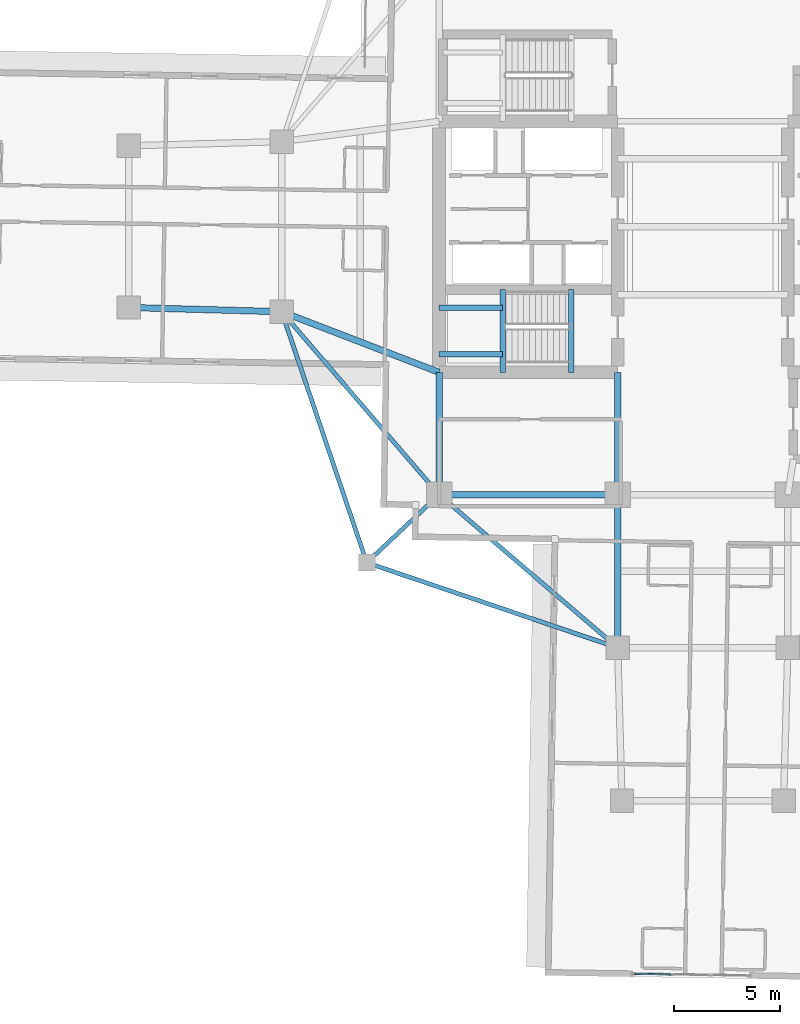
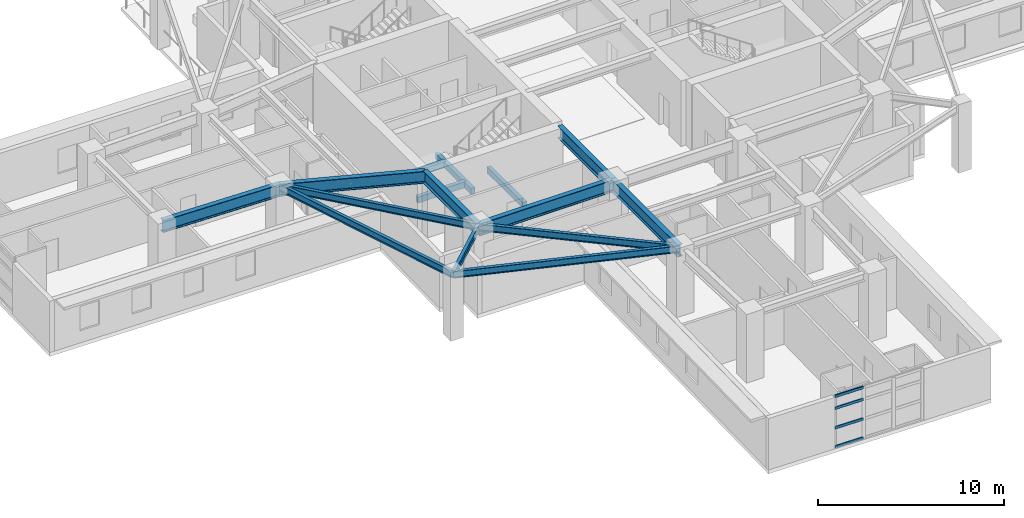
# One storey, part 3 of 22: 15 beams, 4 members, 1 element without a shape of its own.
"""IFC4 building model written with IfcOpenShell, lengths in metres."""

import ifcopenshell
import ifcopenshell.guid

model = None  # the IFC model being written
_history = None  # IfcOwnerHistory: only IFC2X3 demands one
_inside = {}  # id of a spatial element -> (the spatial element, [elements in it])
_under = {}  # id of a project, library or spatial element -> (it, [spatial elements below it])
_declared = {}  # id of a project -> (the project, [libraries it declares])
_typed = {}  # id of a type object -> (the type object, [elements of that type])
_made_of = {}  # id of a material, layer set ... -> (it, [elements and type objects made of it])


def new_model(schema):
    """Start an empty IFC model of exactly this schema.

    Asked for "IFC4X3", IfcOpenShell would pick the latest addendum, in which some entities
    have other attributes; the version numbers below select the first issue.
    IFC2X3 requires an IfcOwnerHistory on every rooted entity: one is made here for all.
    """
    global model, _history
    if schema == "IFC4X3":
        model = ifcopenshell.file(schema_version=(4, 3, 0, 0))
    else:
        model = ifcopenshell.file(schema=schema)
    _inside.clear()
    _under.clear()
    _declared.clear()
    _typed.clear()
    _made_of.clear()
    _history = None
    if model.schema == "IFC2X3":
        org = make("IfcOrganization", Name="unknown")
        user = make(
            "IfcPersonAndOrganization",
            ThePerson=make("IfcPerson", FamilyName="unknown"),
            TheOrganization=org,
        )
        app = make(
            "IfcApplication",
            ApplicationDeveloper=org,
            Version="unknown",
            ApplicationFullName="unknown",
            ApplicationIdentifier="unknown",
        )
        _history = make(
            "IfcOwnerHistory",
            OwningUser=user,
            OwningApplication=app,
            ChangeAction="ADDED",
            CreationDate=0,
        )
    return model


def make(cls, **values):
    """One entity of the class cls with the attributes given. An attribute that is None is left unset."""
    return model.create_entity(
        cls, **{name: value for name, value in values.items() if value is not None}
    )


def rooted(cls, **values):
    """An entity with a GlobalId (a new one), such as an element, a storey or a relation."""
    return make(cls, GlobalId=ifcopenshell.guid.new(), OwnerHistory=_history, **values)


def si_unit(unit_type, name, prefix=None):
    """IfcSIUnit, for example si_unit("LENGTHUNIT", "METRE", prefix="MILLI")."""
    return make("IfcSIUnit", UnitType=unit_type, Prefix=prefix, Name=name)


def assignment(units):
    """IfcUnitAssignment: the units of a project."""
    return None if units is None else make("IfcUnitAssignment", Units=units)


def point(xyz):
    """IfcCartesianPoint."""
    return None if xyz is None else make("IfcCartesianPoint", Coordinates=xyz)


def direction(xyz):
    """IfcDirection."""
    return None if xyz is None else make("IfcDirection", DirectionRatios=xyz)


def frame(location, z_axis=None, x_axis=None):
    """IfcAxis2Placement3D, a coordinate frame: its origin and axes. An axis left out is left unset."""
    return make(
        "IfcAxis2Placement3D",
        Location=point(location),
        Axis=direction(z_axis),
        RefDirection=direction(x_axis),
    )


def frame_2d(location, x_axis=None):
    """IfcAxis2Placement2D, a coordinate frame in the plane: its origin and x axis."""
    return make(
        "IfcAxis2Placement2D", Location=point(location), RefDirection=direction(x_axis)
    )


def origin():
    """The frame at (0, 0, 0) with its axes left unset."""
    return frame((0.0, 0.0, 0.0))


def origin_2d():
    """The frame at (0, 0) in the plane with its x axis left unset."""
    return frame_2d((0.0, 0.0))


def place(relative_to, where):
    """IfcLocalPlacement: puts the frame where relative to a parent placement (None: the world)."""
    return make(
        "IfcLocalPlacement", PlacementRelTo=relative_to, RelativePlacement=where
    )


def context(
    kind, dimensions, precision=None, world=None, true_north=None, identifier=None
):
    """IfcGeometricRepresentationContext, for example the 3D "Model" context."""
    return make(
        "IfcGeometricRepresentationContext",
        ContextIdentifier=identifier,
        ContextType=kind,
        CoordinateSpaceDimension=dimensions,
        Precision=precision,
        WorldCoordinateSystem=world,
        TrueNorth=true_north,
    )


def subcontext(parent, identifier, kind, view, scale=None):
    """IfcGeometricRepresentationSubContext, for example "Body" below "Model"."""
    return make(
        "IfcGeometricRepresentationSubContext",
        ContextIdentifier=identifier,
        ContextType=kind,
        ParentContext=parent,
        TargetScale=scale,
        TargetView=view,
    )


def project(units=None, contexts=None):
    """IfcProject with its units and contexts."""
    return rooted(
        "IfcProject",
        Name="project",
        RepresentationContexts=contexts,
        UnitsInContext=assignment(units),
    )


def spatial(cls, under=None, at=None, **own):
    """A site, building, storey or space (cls), placed at a placement, below another one or the project."""
    s = rooted(cls, ObjectPlacement=at, **own)
    if under is not None:
        _under.setdefault(under.id(), (under, []))[1].append(s)
    return s


def profile(cls, at=None, kind="AREA", **sizes):
    """A parametric profile (cls). Its sizes go by their IFC names, for example OverallWidth=200.0."""
    return make(cls, ProfileType=kind, Position=at, **sizes)


def rectangle(**sizes):
    """IfcRectangleProfileDef."""
    return profile("IfcRectangleProfileDef", **sizes)


def hollow_rectangle(**sizes):
    """IfcRectangleHollowProfileDef."""
    return profile("IfcRectangleHollowProfileDef", **sizes)


def i_section(**sizes):
    """IfcIShapeProfileDef."""
    return profile("IfcIShapeProfileDef", **sizes)


def extrude(swept, where, along, depth):
    """IfcExtrudedAreaSolid: the profile swept, set in the frame where, extruded along a direction by depth."""
    return make(
        "IfcExtrudedAreaSolid",
        SweptArea=swept,
        Position=where,
        ExtrudedDirection=direction(along),
        Depth=depth,
    )


def shape(context_of_items, identifier, shape_type, items):
    """IfcShapeRepresentation: the items that make up one representation, for example the "Body"."""
    return make(
        "IfcShapeRepresentation",
        ContextOfItems=context_of_items,
        RepresentationIdentifier=identifier,
        RepresentationType=shape_type,
        Items=items,
    )


def material(Name=None, Category=None):
    """IfcMaterial."""
    return make("IfcMaterial", Name=Name, Category=Category)


def layer(
    of_material, thickness, ventilated=None, Name=None, Category=None, Priority=None
):
    """IfcMaterialLayer: one layer of a wall or slab, of a material (None: an air gap)."""
    return make(
        "IfcMaterialLayer",
        Material=of_material,
        LayerThickness=thickness,
        IsVentilated=ventilated,
        Name=Name,
        Category=Category,
        Priority=Priority,
    )


def layer_set(layers, Name=None):
    """IfcMaterialLayerSet."""
    return make("IfcMaterialLayerSet", MaterialLayers=layers, LayerSetName=Name)


def material_profile(
    of_material, cross_section, Name=None, Category=None, Priority=None
):
    """IfcMaterialProfile: a cross section and its material."""
    return make(
        "IfcMaterialProfile",
        Name=Name,
        Material=of_material,
        Profile=cross_section,
        Priority=Priority,
        Category=Category,
    )


def profile_set(profiles, Name=None, composite=None):
    """IfcMaterialProfileSet."""
    return make(
        "IfcMaterialProfileSet",
        Name=Name,
        MaterialProfiles=profiles,
        CompositeProfile=composite,
    )


def made_of(thing, what):
    """Note that an element or type object is made of a material, layer set ...; save() writes the relation."""
    if what is not None:
        _made_of.setdefault(what.id(), (what, []))[1].append(thing)
    return thing


def type_object(cls, material=None, **own):
    """A type object (cls), such as IfcWallType, which elements share."""
    return made_of(rooted(cls, **own), material)


def element(
    cls,
    number,
    at=None,
    inside=None,
    cuts=None,
    type_object=None,
    material=None,
    context=None,
    identifier="Body",
    shape_type=None,
    held_by="IfcProductDefinitionShape",
    body=None,
    shapes=None,
    **own,
):
    """One element of the class cls, such as IfcWall. Its Tag is "e" and its number.

    at: its placement. inside: the storey or other place that contains it. cuts: it is an
    opening in that element (IfcRelVoidsElement). A single representation is given by context,
    identifier, shape_type and body (its items); several are given by shapes. held_by: the class
    of the entity that holds the representations. save() writes the other relations.
    """
    e = rooted(cls, Tag="e%d" % number, ObjectPlacement=at, **own)
    if body is not None:
        shapes = [shape(context, identifier, shape_type, body)]
    if shapes is not None:
        e.Representation = make(held_by, Representations=shapes)
    if inside is not None:
        _inside.setdefault(inside.id(), (inside, []))[1].append(e)
    if cuts is not None:
        rooted(
            "IfcRelVoidsElement", RelatingBuildingElement=cuts, RelatedOpeningElement=e
        )
    if type_object is not None:
        _typed.setdefault(type_object.id(), (type_object, []))[1].append(e)
    return made_of(e, material)


def aggregate(whole, parts):
    """IfcRelAggregates: a whole, such as a stair, and the parts it consists of."""
    return rooted("IfcRelAggregates", RelatingObject=whole, RelatedObjects=parts)


def save(model, path):
    """Write the relations noted so far, then the file.

    IfcRelAggregates (storeys below a building ...), IfcRelContainedInSpatialStructure (elements
    in a storey), IfcRelDefinesByType, IfcRelAssociatesMaterial and IfcRelDeclares: one each for
    every whole, place, type object, material and project.
    """
    for whole, parts in _under.values():
        aggregate(whole, parts)
    for where, things in _inside.values():
        rooted(
            "IfcRelContainedInSpatialStructure",
            RelatedElements=things,
            RelatingStructure=where,
        )
    for kind, things in _typed.values():
        rooted("IfcRelDefinesByType", RelatedObjects=things, RelatingType=kind)
    for what, things in _made_of.values():
        rooted("IfcRelAssociatesMaterial", RelatedObjects=things, RelatingMaterial=what)
    for by, libraries in _declared.values():
        rooted("IfcRelDeclares", RelatingContext=by, RelatedDefinitions=libraries)
    model.write(path)


model = new_model("IFC4")

# Units and contexts
model_context = context("Model", 3, precision=1e-05, world=origin(), true_north=direction((0.0, 1.0)))
body_context = subcontext(model_context, "Body", "Model", "MODEL_VIEW")
ifc_project = project(units=[si_unit("LENGTHUNIT", "METRE"), si_unit("AREAUNIT", "SQUARE_METRE"), si_unit("VOLUMEUNIT", "CUBIC_METRE"), si_unit("PLANEANGLEUNIT", "RADIAN"), si_unit("MASSUNIT", "GRAM", prefix="KILO")], contexts=[model_context])

# Site, building, storey
site_placement = place(None, origin())
site = spatial("IfcSite", under=ifc_project, at=site_placement, CompositionType="ELEMENT")
building_placement = place(site_placement, origin())
building = spatial("IfcBuilding", under=site, at=building_placement, Name="Qingluan Cross Belvedere", CompositionType="ELEMENT")
storey_placement = place(building_placement, frame((0.0, 0.0, 100.199951171875)))
storey = spatial("IfcBuildingStorey", under=building, at=storey_placement, Name="L25", CompositionType="ELEMENT", Elevation=100.199951171875)

# Curtain wall, members
ifc_material_1 = material(Name="Thermally broken aluminium and Low-E glass", Category="aluminium")
ifc_layer = layer(ifc_material_1, 0.199951171875, Name="UnitisedCW_SkyLobbyLow")
ifc_layer_set = layer_set([ifc_layer], Name="Thermally broken aluminium and Low-E glass")
curtain_wall_type = type_object("IfcCurtainWallType", Name="UnitisedCW_SkyLobbyLow", PredefinedType="USERDEFINED", material=ifc_layer_set)
curtain_wall_placement = place(storey_placement, origin())
curtain_wall = element("IfcCurtainWall", 1, at=curtain_wall_placement, inside=storey, type_object=curtain_wall_type, Name="UnitisedCW_SkyLobbyLow run env:cw:L25:S", ObjectType="UNITISED CURTAIN WALL", PredefinedType="USERDEFINED")
ifc_material_2 = material(Name="Aluminium alloy 6063-T6", Category="aluminium")
ifc_material_profile_1 = material_profile(ifc_material_2, hollow_rectangle(XDim=0.0849609375, YDim=0.179931640625, WallThickness=0.00390625, InnerFilletRadius=0.00390625, OuterFilletRadius=0.008056640625, at=origin_2d()), Name="CWT180x85x4")
ifc_profile_set_1 = profile_set([ifc_material_profile_1], Name="Aluminium alloy 6063-T6")
member_type = type_object("IfcMemberType", Name="CWTransom_180", PredefinedType="USERDEFINED", material=ifc_profile_set_1)
member_1_placement = place(storey_placement, frame((-3.236328125, -35.133544921875, 0.030029296875), z_axis=(0.999876440048, -0.015719562224, 0.0), x_axis=(0.015719562224, 0.999876440048, 0.0)))
member_1 = element("IfcMember", 2, at=member_1_placement, type_object=member_type, Name="CW-S1 transom 1.1", ObjectType="TRANSOM", PredefinedType="USERDEFINED", context=body_context, shape_type="SweptSolid", body=[
    extrude(hollow_rectangle(XDim=0.0849609375, YDim=0.179931640625, WallThickness=0.00390625, InnerFilletRadius=0.00390625, OuterFilletRadius=0.008056640625, at=origin_2d()), origin(), (0.0, 0.0, 1.0), 1.739501953125),
])
member_2_placement = place(storey_placement, frame((-3.236328125, -35.133544921875, 1.283935546875), z_axis=(0.999876440048, -0.015719562224, 0.0), x_axis=(0.015719562224, 0.999876440048, 0.0)))
member_2 = element("IfcMember", 3, at=member_2_placement, type_object=member_type, Name="CW-S1 transom 1.2", ObjectType="TRANSOM", PredefinedType="USERDEFINED", context=body_context, shape_type="SweptSolid", body=[
    extrude(hollow_rectangle(XDim=0.0849609375, YDim=0.179931640625, WallThickness=0.00390625, InnerFilletRadius=0.00390625, OuterFilletRadius=0.008056640625, at=origin_2d()), origin(), (0.0, 0.0, 1.0), 1.739501953125),
])
member_3_placement = place(storey_placement, frame((-3.236328125, -35.133544921875, 2.569091796875), z_axis=(0.999876440048, -0.015719562224, 0.0), x_axis=(0.015719562224, 0.999876440048, 0.0)))
member_3 = element("IfcMember", 4, at=member_3_placement, type_object=member_type, Name="CW-S1 transom 1.3", ObjectType="TRANSOM", PredefinedType="USERDEFINED", context=body_context, shape_type="SweptSolid", body=[
    extrude(hollow_rectangle(XDim=0.0849609375, YDim=0.179931640625, WallThickness=0.00390625, InnerFilletRadius=0.00390625, OuterFilletRadius=0.008056640625, at=origin_2d()), origin(), (0.0, 0.0, 1.0), 1.739501953125),
])
member_4_placement = place(storey_placement, frame((-3.236328125, -35.133544921875, 3.35009765625), z_axis=(0.999876440048, -0.015719562224, 0.0), x_axis=(0.015719562224, 0.999876440048, 0.0)))
member_4 = element("IfcMember", 5, at=member_4_placement, type_object=member_type, Name="CW-S1 transom 1.4", ObjectType="TRANSOM", PredefinedType="USERDEFINED", context=body_context, shape_type="SweptSolid", body=[
    extrude(hollow_rectangle(XDim=0.0849609375, YDim=0.179931640625, WallThickness=0.00390625, InnerFilletRadius=0.00390625, OuterFilletRadius=0.008056640625, at=origin_2d()), origin(), (0.0, 0.0, 1.0), 1.739501953125),
])
aggregate(curtain_wall, [member_1, member_2, member_3, member_4])

# Beams
ifc_material_3 = material(Name="Concrete C45", Category="concrete")
ifc_material_profile_2 = material_profile(ifc_material_3, rectangle(XDim=0.25, YDim=0.39990234375, at=origin_2d()), Name="RC250x400")
ifc_profile_set_2 = profile_set([ifc_material_profile_2], Name="Concrete C45")
beam_type_1 = type_object("IfcBeamType", Name="RC_Lintel_RC250x400", PredefinedType="LINTEL", material=ifc_profile_set_2)
for number, where, z_axis, x_axis, name in (
    (6, (-6.179931640625, -6.85009765625, -0.199951171875), (0.0, 1.0, 0.0), (-1.0, 0.0, 0.0), "Stair ST1 landing beam L25"),
    (7, (-9.409912109375, -6.85009765625, 1.85009765625), (0.0, 1.0, 0.0), (-1.0, 0.0, 0.0), "Stair ST1 beam A L25"),
):
    element("IfcBeam", number, at=place(storey_placement, frame(where, z_axis=z_axis, x_axis=x_axis)), inside=storey, type_object=beam_type_1, Name=name, PredefinedType="LINTEL", context=body_context, shape_type="SweptSolid", body=[
        extrude(rectangle(XDim=0.25, YDim=0.39990234375, at=origin_2d()), origin(), (0.0, 0.0, 1.0), 3.89013671875),
    ])
for number, where, z_axis, x_axis, name in (
    (8, (-12.39990234375, -6.0, 1.85009765625), (1.0, 0.0, 0.0), (0.0, 1.0, 0.0), "Stair ST1 beam B L25"),
    (9, (-12.39990234375, -3.81005859375, 1.85009765625), (1.0, 0.0, 0.0), (0.0, 1.0, 0.0), "Stair ST1 beam C L25"),
):
    element("IfcBeam", number, at=place(storey_placement, frame(where, z_axis=z_axis, x_axis=x_axis)), inside=storey, type_object=beam_type_1, Name=name, PredefinedType="LINTEL", context=body_context, shape_type="SweptSolid", body=[
        extrude(rectangle(XDim=0.25, YDim=0.39990234375, at=origin_2d()), origin(), (0.0, 0.0, 1.0), 2.989990234375),
    ])
ifc_material_4 = material(Name="Steel Q420GJB", Category="steel")
ifc_material_profile_3 = material_profile(ifc_material_4, i_section(OverallWidth=0.199951171875, OverallDepth=0.449951171875, WebThickness=0.009033203125, FlangeThickness=0.013916015625, FilletRadius=0.01611328125, at=origin_2d()), Name="HN450x200x9x14")
ifc_profile_set_3 = profile_set([ifc_material_profile_3], Name="Steel Q420GJB")
beam_type_2 = type_object("IfcBeamType", Name="Steel_Beam_HN450x200x9x14", PredefinedType="JOIST", material=ifc_profile_set_3)
beam_1_placement = place(storey_placement, frame((-12.39990234375, -12.60009765625, 4.054931640625), z_axis=(-0.728219948308, -0.685343495546, 0.0), x_axis=(0.685343495546, -0.728219948308, 0.0)))
element("IfcBeam", 10, at=beam_1_placement, inside=storey, type_object=beam_type_2, Name="Corner beam 1 L25-RSW", PredefinedType="JOIST", context=body_context, shape_type="SweptSolid", body=[
    extrude(i_section(OverallWidth=0.199951171875, OverallDepth=0.449951171875, WebThickness=0.009033203125, FlangeThickness=0.013916015625, FilletRadius=0.01611328125, at=origin_2d()), origin(), (0.0, 0.0, 1.0), 4.669189453125),
])
for number, where, z_axis, x_axis, name in (
    (11, (-15.800048828125, -15.800048828125, 4.054931640625), (0.947066283324, -0.321038089628, 0.0), (0.321038089628, 0.947066283324, 0.0), "Corner beam 2 L25-RSW"),
    (12, (-15.800048828125, -15.800048828125, 4.054931640625), (-0.321038089628, 0.947066283324, 0.0), (-0.947066283324, -0.321038089628, 0.0), "Corner beam 3 L25-RSW"),
):
    element("IfcBeam", number, at=place(storey_placement, frame(where, z_axis=z_axis, x_axis=x_axis)), inside=storey, type_object=beam_type_2, Name=name, PredefinedType="JOIST", context=body_context, shape_type="SweptSolid", body=[
        extrude(i_section(OverallWidth=0.199951171875, OverallDepth=0.449951171875, WebThickness=0.009033203125, FlangeThickness=0.013916015625, FilletRadius=0.01611328125, at=origin_2d()), origin(), (0.0, 0.0, 1.0), 12.45947265625),
    ])
beam_2_placement = place(storey_placement, frame((-12.39990234375, -12.60009765625, 4.054931640625), z_axis=(-0.652245077546, 0.75800815221, 0.0), x_axis=(-0.75800815221, -0.652245077546, 0.0)))
element("IfcBeam", 13, at=beam_2_placement, inside=storey, type_object=beam_type_2, Name="Corner beam 4 L25-RSW", PredefinedType="JOIST", context=body_context, shape_type="SweptSolid", body=[
    extrude(i_section(OverallWidth=0.199951171875, OverallDepth=0.449951171875, WebThickness=0.009033203125, FlangeThickness=0.013916015625, FilletRadius=0.01611328125, at=origin_2d()), origin(), (0.0, 0.0, 1.0), 11.345703125),
])
beam_3_placement = place(storey_placement, frame((-12.39990234375, -12.60009765625, 4.054931640625), z_axis=(0.759255044656, -0.650793190779, 0.0), x_axis=(0.650793190779, 0.759255044656, 0.0)))
element("IfcBeam", 14, at=beam_3_placement, inside=storey, type_object=beam_type_2, Name="Corner beam 5 L25-RSW", PredefinedType="JOIST", context=body_context, shape_type="SweptSolid", body=[
    extrude(i_section(OverallWidth=0.199951171875, OverallDepth=0.449951171875, WebThickness=0.009033203125, FlangeThickness=0.013916015625, FilletRadius=0.01611328125, at=origin_2d()), origin(), (0.0, 0.0, 1.0), 11.063232421875),
])
ifc_material_5 = material(Name="Steel Q420GJB", Category="steel")
ifc_material_profile_4 = material_profile(ifc_material_5, i_section(OverallWidth=0.300048828125, OverallDepth=0.800048828125, WebThickness=0.015380859375, FlangeThickness=0.028076171875, FilletRadius=0.030029296875, at=origin_2d()), Name="HEB800")
ifc_profile_set_4 = profile_set([ifc_material_profile_4], Name="Steel Q420GJB")
beam_type_3 = type_object("IfcBeamType", Name="Steel_Girder_HEB800", PredefinedType="USERDEFINED", material=ifc_profile_set_4)
beam_4_placement = place(storey_placement, frame((-12.39990234375, -12.60009765625, 3.900146484375), z_axis=(1.0, 0.0, 0.0), x_axis=(0.0, 1.0, 0.0)))
element("IfcBeam", 15, at=beam_4_placement, inside=storey, type_object=beam_type_3, Name="Hub girder L25-HG-S1", ObjectType="GIRDER", PredefinedType="USERDEFINED", context=body_context, shape_type="SweptSolid", body=[
    extrude(i_section(OverallWidth=0.300048828125, OverallDepth=0.800048828125, WebThickness=0.015380859375, FlangeThickness=0.028076171875, FilletRadius=0.030029296875, at=origin_2d()), origin(), (0.0, 0.0, 1.0), 8.39990234375),
])
for number, where, z_axis, x_axis, name in (
    (16, (-12.39990234375, -12.60009765625, 3.900146484375), (0.0, 1.0, 0.0), (-1.0, 0.0, 0.0), "Hub girder L25-HG-W1"),
    (17, (-4.0, -12.60009765625, 3.900146484375), (0.0, 1.0, 0.0), (-1.0, 0.0, 0.0), "Hub girder L25-HG-CW"),
):
    element("IfcBeam", number, at=place(storey_placement, frame(where, z_axis=z_axis, x_axis=x_axis)), inside=storey, type_object=beam_type_3, Name=name, ObjectType="GIRDER", PredefinedType="USERDEFINED", context=body_context, shape_type="SweptSolid", body=[
        extrude(i_section(OverallWidth=0.300048828125, OverallDepth=0.800048828125, WebThickness=0.015380859375, FlangeThickness=0.028076171875, FilletRadius=0.030029296875, at=origin_2d()), origin(), (0.0, 0.0, 1.0), 5.75),
    ])
beam_5_placement = place(storey_placement, frame((-12.39990234375, -6.85009765625, 3.900146484375), z_axis=(-0.933181258889, 0.359406090735, 0.0), x_axis=(-0.359406090735, -0.933181258889, 0.0)))
element("IfcBeam", 18, at=beam_5_placement, inside=storey, type_object=beam_type_3, Name="Arm W radial girder A L25", ObjectType="GIRDER", PredefinedType="USERDEFINED", context=body_context, shape_type="SweptSolid", body=[
    extrude(i_section(OverallWidth=0.300048828125, OverallDepth=0.800048828125, WebThickness=0.015380859375, FlangeThickness=0.028076171875, FilletRadius=0.030029296875, at=origin_2d()), origin(), (0.0, 0.0, 1.0), 7.929931640625),
])
beam_6_placement = place(storey_placement, frame((-19.800048828125, -4.0, 3.900146484375), z_axis=(-0.999614603568, 0.027760481514, 0.0), x_axis=(-0.027760481514, -0.999614603568, 0.0)))
element("IfcBeam", 19, at=beam_6_placement, inside=storey, type_object=beam_type_3, Name="Arm W outer radial girder A L25", ObjectType="GIRDER", PredefinedType="USERDEFINED", context=body_context, shape_type="SweptSolid", body=[
    extrude(i_section(OverallWidth=0.300048828125, OverallDepth=0.800048828125, WebThickness=0.015380859375, FlangeThickness=0.028076171875, FilletRadius=0.030029296875, at=origin_2d()), origin(), (0.0, 0.0, 1.0), 7.20263671875),
])
beam_7_placement = place(storey_placement, frame((-4.0, -12.60009765625, 3.900146484375), z_axis=(0.0, -1.0, 0.0), x_axis=(1.0, 0.0, 0.0)))
element("IfcBeam", 20, at=beam_7_placement, inside=storey, type_object=beam_type_3, Name="Arm S radial girder A L25", ObjectType="GIRDER", PredefinedType="USERDEFINED", context=body_context, shape_type="SweptSolid", body=[
    extrude(i_section(OverallWidth=0.300048828125, OverallDepth=0.800048828125, WebThickness=0.015380859375, FlangeThickness=0.028076171875, FilletRadius=0.030029296875, at=origin_2d()), origin(), (0.0, 0.0, 1.0), 7.199951171875),
])

save(model, "model.ifc")
